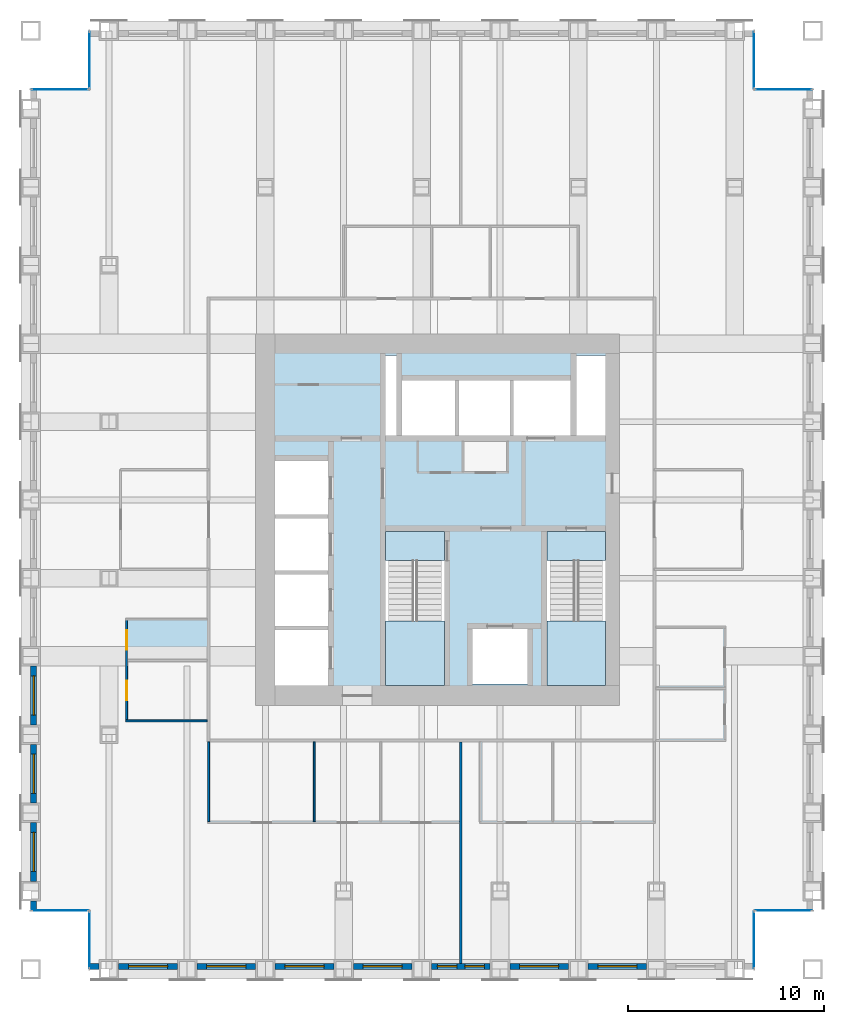
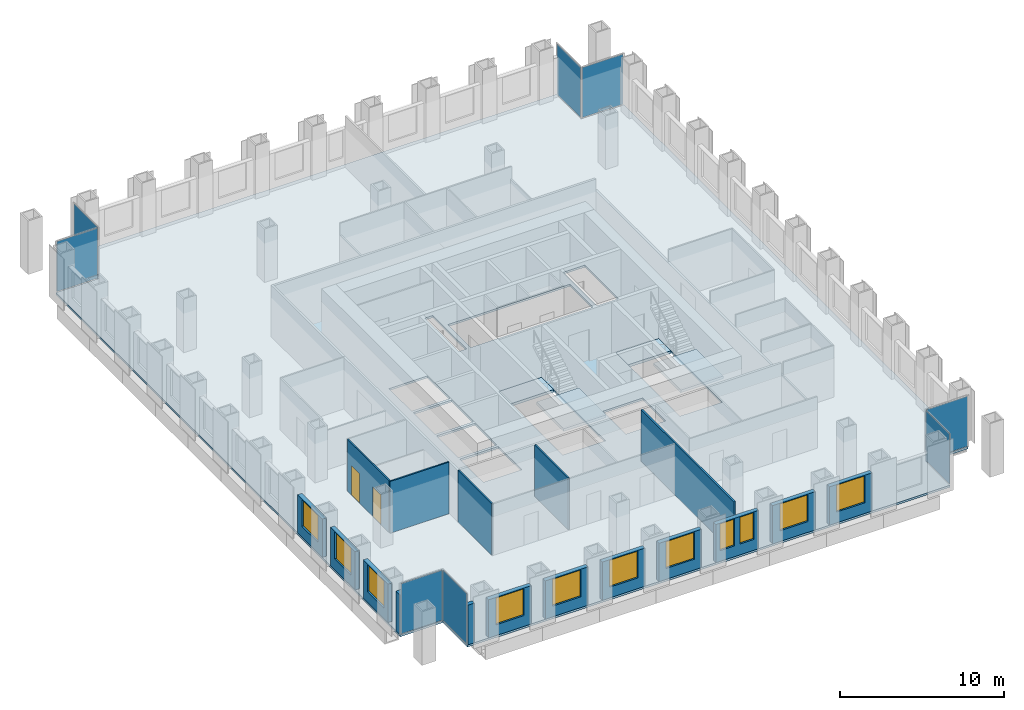
# One storey, part 7 of 12: 17 walls, 11 windows, 8 plates, 5 slabs, 2 doors, 13 openings, 10 elements without a shape of their own.
"""IFC4 building model written with IfcOpenShell, lengths in metres."""

from ifc_helpers import new_model, si_unit, direction, frame, frame_2d, origin, origin_2d, place, context, subcontext, project, spatial, polyline, rectangle, outline, extrude, material, layer, layer_set, type_object, element, fill, aggregate, save


model = new_model("IFC4")

# Units and contexts
model_context = context("Model", 3, precision=1e-05, world=origin(), true_north=direction((0.0, 1.0)))
body_context = subcontext(model_context, "Body", "Model", "MODEL_VIEW")
ifc_project = project(units=[si_unit("LENGTHUNIT", "METRE"), si_unit("AREAUNIT", "SQUARE_METRE"), si_unit("VOLUMEUNIT", "CUBIC_METRE"), si_unit("PLANEANGLEUNIT", "RADIAN"), si_unit("MASSUNIT", "GRAM", prefix="KILO")], contexts=[model_context])

# Site, building, storey
site_placement = place(None, origin())
site = spatial("IfcSite", under=ifc_project, at=site_placement, CompositionType="ELEMENT")
building_placement = place(site_placement, origin())
building = spatial("IfcBuilding", under=site, at=building_placement, Name="Rimbunsela Tower", CompositionType="ELEMENT")
storey_placement = place(building_placement, frame((0.0, 0.0, 151.800048828125)))
storey = spatial("IfcBuildingStorey", under=building, at=storey_placement, Name="L36", CompositionType="ELEMENT", Elevation=151.800048828125)

# Slab
ifc_material_1 = material(Name="Concrete fc' 35 MPa", Category="concrete")
ifc_layer_1 = layer(ifc_material_1, 0.14990234375)
ifc_layer_set_1 = layer_set([ifc_layer_1], Name="Floor slab 150")
slab_type_1 = type_object("IfcSlabType", Name="Floor slab 150", PredefinedType="FLOOR", material=ifc_layer_set_1)
slab_1_placement = place(storey_placement, frame((0.0, 0.0, -0.150146484375)))
element("IfcSlab", 1, at=slab_1_placement, inside=storey, type_object=slab_type_1, Name="Floor slab L36", PredefinedType="FLOOR", context=body_context, shape_type="SweptSolid", body=[
    extrude(outline(polyline([(9.0, 4.0), (43.0, 4.0), (43.0, 7.0), (46.0, 7.0), (46.0, 49.0), (43.0, 49.0), (43.0, 52.0), (9.0, 52.0), (9.0, 49.0), (6.0, 49.0), (6.0, 7.0), (9.0, 7.0), (9.0, 4.0)]), holes=[polyline([(21.199951171875, 21.35009765625), (18.5, 21.35009765625), (18.5, 18.5), (21.199951171875, 18.5), (21.199951171875, 21.35009765625)]), polyline([(21.199951171875, 21.550048828125), (21.199951171875, 24.199951171875), (18.5, 24.199951171875), (18.5, 21.550048828125), (21.199951171875, 21.550048828125)]), polyline([(21.199951171875, 27.050048828125), (18.5, 27.050048828125), (18.5, 24.39990234375), (21.199951171875, 24.39990234375), (21.199951171875, 27.050048828125)]), polyline([(21.199951171875, 27.25), (21.199951171875, 30.0), (18.5, 30.0), (18.5, 27.25), (21.199951171875, 27.25)]), polyline([(27.14990234375, 18.60009765625), (27.14990234375, 26.39990234375), (24.14990234375, 26.39990234375), (24.14990234375, 18.60009765625), (27.14990234375, 18.60009765625)]), polyline([(24.699951171875, 31.300048828125), (24.699951171875, 35.39990234375), (24.14990234375, 35.39990234375), (24.14990234375, 31.300048828125), (24.699951171875, 31.300048828125)]), polyline([(25.0, 34.10009765625), (25.0, 31.300048828125), (33.60009765625, 31.300048828125), (33.60009765625, 34.10009765625), (25.0, 34.10009765625)]), polyline([(31.39990234375, 21.39990234375), (28.60009765625, 21.39990234375), (28.60009765625, 18.60009765625), (31.39990234375, 18.60009765625), (31.39990234375, 21.39990234375)]), polyline([(35.39990234375, 18.60009765625), (35.39990234375, 26.39990234375), (32.39990234375, 26.39990234375), (32.39990234375, 18.60009765625), (35.39990234375, 18.60009765625)]), polyline([(35.39990234375, 31.300048828125), (35.39990234375, 35.39990234375), (33.89990234375, 35.39990234375), (33.89990234375, 31.300048828125), (35.39990234375, 31.300048828125)])]), origin(), (0.0, 0.0, 1.0), 0.150146484375),
])

# Curtain wall, plate
ifc_material_2 = material(Name="Aluminium curtain wall", Category="aluminium")
curtain_wall_type = type_object("IfcCurtainWallType", Name="Corner glazing", PredefinedType="USERDEFINED", material=ifc_material_2)
curtain_wall_1_placement = place(storey_placement, origin())
curtain_wall_1 = element("IfcCurtainWall", 2, at=curtain_wall_1_placement, inside=storey, type_object=curtain_wall_type, Name="Corner glazing L36", ObjectType="CORNER GLAZING", PredefinedType="USERDEFINED")
ifc_material_3 = material(Name="Clear double glazing", Category="glass")
ifc_layer_2 = layer(ifc_material_3, 0.028076171875)
ifc_layer_set_2 = layer_set([ifc_layer_2], Name="Glazed panel clear")
plate_type = type_object("IfcPlateType", Name="Glazed panel clear", PredefinedType="CURTAIN_PANEL", material=ifc_layer_set_2)
plate_1_placement = place(storey_placement, frame((43.0, 5.5, 0.06005859375), z_axis=(0.0, 0.0, 1.0), x_axis=(0.0, 1.0, 0.0)))
plate_1 = element("IfcPlate", 3, at=plate_1_placement, type_object=plate_type, Name="CW5 panel 1.1", PredefinedType="CURTAIN_PANEL", context=body_context, shape_type="SweptSolid", body=[
    extrude(rectangle(XDim=2.8798828125, YDim=0.028076171875, at=origin_2d()), origin(), (0.0, 0.0, 1.0), 3.72998046875),
])
aggregate(curtain_wall_1, [plate_1])

curtain_wall_2_placement = place(storey_placement, origin())
curtain_wall_2 = element("IfcCurtainWall", 4, at=curtain_wall_2_placement, inside=storey, type_object=curtain_wall_type, Name="Corner glazing L36", ObjectType="CORNER GLAZING", PredefinedType="USERDEFINED")
plate_2_placement = place(storey_placement, frame((44.5, 7.0, 0.06005859375), z_axis=(0.0, 0.0, 1.0), x_axis=(1.0, 0.0, 0.0)))
plate_2 = element("IfcPlate", 5, at=plate_2_placement, type_object=plate_type, Name="CW5 panel 1.1", PredefinedType="CURTAIN_PANEL", context=body_context, shape_type="SweptSolid", body=[
    extrude(rectangle(XDim=2.8798828125, YDim=0.028076171875, at=origin_2d()), origin(), (0.0, 0.0, 1.0), 3.72998046875),
])
aggregate(curtain_wall_2, [plate_2])

curtain_wall_3_placement = place(storey_placement, origin())
curtain_wall_3 = element("IfcCurtainWall", 6, at=curtain_wall_3_placement, inside=storey, type_object=curtain_wall_type, Name="Corner glazing L36", ObjectType="CORNER GLAZING", PredefinedType="USERDEFINED")
plate_3_placement = place(storey_placement, frame((44.5, 49.0, 0.06005859375), z_axis=(0.0, 0.0, 1.0), x_axis=(-1.0, 0.0, 0.0)))
plate_3 = element("IfcPlate", 7, at=plate_3_placement, type_object=plate_type, Name="CW5 panel 1.1", PredefinedType="CURTAIN_PANEL", context=body_context, shape_type="SweptSolid", body=[
    extrude(rectangle(XDim=2.8798828125, YDim=0.028076171875, at=origin_2d()), origin(), (0.0, 0.0, 1.0), 3.72998046875),
])
aggregate(curtain_wall_3, [plate_3])

curtain_wall_4_placement = place(storey_placement, origin())
curtain_wall_4 = element("IfcCurtainWall", 8, at=curtain_wall_4_placement, inside=storey, type_object=curtain_wall_type, Name="Corner glazing L36", ObjectType="CORNER GLAZING", PredefinedType="USERDEFINED")
plate_4_placement = place(storey_placement, frame((43.0, 50.5, 0.06005859375), z_axis=(0.0, 0.0, 1.0), x_axis=(0.0, 1.0, 0.0)))
plate_4 = element("IfcPlate", 9, at=plate_4_placement, type_object=plate_type, Name="CW5 panel 1.1", PredefinedType="CURTAIN_PANEL", context=body_context, shape_type="SweptSolid", body=[
    extrude(rectangle(XDim=2.8798828125, YDim=0.028076171875, at=origin_2d()), origin(), (0.0, 0.0, 1.0), 3.72998046875),
])
aggregate(curtain_wall_4, [plate_4])

curtain_wall_5_placement = place(storey_placement, origin())
curtain_wall_5 = element("IfcCurtainWall", 10, at=curtain_wall_5_placement, inside=storey, type_object=curtain_wall_type, Name="Corner glazing L36", ObjectType="CORNER GLAZING", PredefinedType="USERDEFINED")
plate_5_placement = place(storey_placement, frame((9.0, 50.5, 0.06005859375), z_axis=(0.0, 0.0, 1.0), x_axis=(0.0, -1.0, 0.0)))
plate_5 = element("IfcPlate", 11, at=plate_5_placement, type_object=plate_type, Name="CW5 panel 1.1", PredefinedType="CURTAIN_PANEL", context=body_context, shape_type="SweptSolid", body=[
    extrude(rectangle(XDim=2.8798828125, YDim=0.028076171875, at=origin_2d()), origin(), (0.0, 0.0, 1.0), 3.72998046875),
])
aggregate(curtain_wall_5, [plate_5])

curtain_wall_6_placement = place(storey_placement, origin())
curtain_wall_6 = element("IfcCurtainWall", 12, at=curtain_wall_6_placement, inside=storey, type_object=curtain_wall_type, Name="Corner glazing L36", ObjectType="CORNER GLAZING", PredefinedType="USERDEFINED")
plate_6_placement = place(storey_placement, frame((7.5, 49.0, 0.06005859375), z_axis=(0.0, 0.0, 1.0), x_axis=(-1.0, 0.0, 0.0)))
plate_6 = element("IfcPlate", 13, at=plate_6_placement, type_object=plate_type, Name="CW5 panel 1.1", PredefinedType="CURTAIN_PANEL", context=body_context, shape_type="SweptSolid", body=[
    extrude(rectangle(XDim=2.8798828125, YDim=0.028076171875, at=origin_2d()), origin(), (0.0, 0.0, 1.0), 3.72998046875),
])
aggregate(curtain_wall_6, [plate_6])

curtain_wall_7_placement = place(storey_placement, origin())
curtain_wall_7 = element("IfcCurtainWall", 14, at=curtain_wall_7_placement, inside=storey, type_object=curtain_wall_type, Name="Corner glazing L36", ObjectType="CORNER GLAZING", PredefinedType="USERDEFINED")
plate_7_placement = place(storey_placement, frame((7.5, 7.0, 0.06005859375), z_axis=(0.0, 0.0, 1.0), x_axis=(1.0, 0.0, 0.0)))
plate_7 = element("IfcPlate", 15, at=plate_7_placement, type_object=plate_type, Name="CW5 panel 1.1", PredefinedType="CURTAIN_PANEL", context=body_context, shape_type="SweptSolid", body=[
    extrude(rectangle(XDim=2.8798828125, YDim=0.028076171875, at=origin_2d()), origin(), (0.0, 0.0, 1.0), 3.72998046875),
])
aggregate(curtain_wall_7, [plate_7])

curtain_wall_8_placement = place(storey_placement, origin())
curtain_wall_8 = element("IfcCurtainWall", 16, at=curtain_wall_8_placement, inside=storey, type_object=curtain_wall_type, Name="Corner glazing L36", ObjectType="CORNER GLAZING", PredefinedType="USERDEFINED")
plate_8_placement = place(storey_placement, frame((9.0, 5.5, 0.06005859375), z_axis=(0.0, 0.0, 1.0), x_axis=(0.0, -1.0, 0.0)))
plate_8 = element("IfcPlate", 17, at=plate_8_placement, type_object=plate_type, Name="CW5 panel 1.1", PredefinedType="CURTAIN_PANEL", context=body_context, shape_type="SweptSolid", body=[
    extrude(rectangle(XDim=2.8798828125, YDim=0.028076171875, at=origin_2d()), origin(), (0.0, 0.0, 1.0), 3.72998046875),
])
aggregate(curtain_wall_8, [plate_8])

# Stair, slabs
ifc_material_4 = material(Name="Concrete fc' 35 MPa", Category="concrete")
stair_type = type_object("IfcStairType", Name="Exit stair 24 risers", PredefinedType="HALF_TURN_STAIR", material=ifc_material_4)
stair_1_placement = place(storey_placement, origin())
stair_1 = element("IfcStair", 18, at=stair_1_placement, inside=storey, type_object=stair_type, Name="Exit stair A L36", PredefinedType="HALF_TURN_STAIR")
ifc_material_5 = material(Name="Concrete fc' 35 MPa", Category="concrete")
ifc_layer_3 = layer(ifc_material_5, 0.199951171875)
ifc_layer_set_3 = layer_set([ifc_layer_3], Name="Stair landing 200")
slab_type_2 = type_object("IfcSlabType", Name="Stair landing 200", PredefinedType="LANDING", material=ifc_layer_set_3)
slab_2_placement = place(storey_placement, frame((0.0, 0.0, -0.199951171875)))
slab_2 = element("IfcSlab", 19, at=slab_2_placement, type_object=slab_type_2, Name="ST-A landing 1", PredefinedType="LANDING", context=body_context, shape_type="SweptSolid", body=[
    extrude(outline(polyline([(24.14990234375, 24.89990234375), (27.14990234375, 24.89990234375), (27.14990234375, 26.39990234375), (24.14990234375, 26.39990234375), (24.14990234375, 24.89990234375)])), origin(), (0.0, 0.0, 1.0), 0.199951171875),
])
slab_3_placement = place(storey_placement, frame((0.0, 0.0, 1.800048828125)))
slab_3 = element("IfcSlab", 20, at=slab_3_placement, type_object=slab_type_2, Name="ST-A landing 2", PredefinedType="LANDING", context=body_context, shape_type="SweptSolid", body=[
    extrude(outline(polyline([(24.14990234375, 18.5), (27.14990234375, 18.5), (27.14990234375, 21.820068359375), (24.14990234375, 21.820068359375), (24.14990234375, 18.5)])), origin(), (0.0, 0.0, 1.0), 0.199951171875),
])
aggregate(stair_1, [slab_2, slab_3])

stair_2_placement = place(storey_placement, origin())
stair_2 = element("IfcStair", 21, at=stair_2_placement, inside=storey, type_object=stair_type, Name="Exit stair B L36", PredefinedType="HALF_TURN_STAIR")
slab_4_placement = place(storey_placement, frame((0.0, 0.0, -0.199951171875)))
slab_4 = element("IfcSlab", 22, at=slab_4_placement, type_object=slab_type_2, Name="ST-B landing 1", PredefinedType="LANDING", context=body_context, shape_type="SweptSolid", body=[
    extrude(outline(polyline([(32.39990234375, 24.89990234375), (35.39990234375, 24.89990234375), (35.39990234375, 26.39990234375), (32.39990234375, 26.39990234375), (32.39990234375, 24.89990234375)])), origin(), (0.0, 0.0, 1.0), 0.199951171875),
])
slab_5_placement = place(storey_placement, frame((0.0, 0.0, 1.800048828125)))
slab_5 = element("IfcSlab", 23, at=slab_5_placement, type_object=slab_type_2, Name="ST-B landing 2", PredefinedType="LANDING", context=body_context, shape_type="SweptSolid", body=[
    extrude(outline(polyline([(32.39990234375, 18.5), (35.39990234375, 18.5), (35.39990234375, 21.820068359375), (32.39990234375, 21.820068359375), (32.39990234375, 18.5)])), origin(), (0.0, 0.0, 1.0), 0.199951171875),
])
aggregate(stair_2, [slab_4, slab_5])

# Wall
ifc_material_6 = material(Name="Gypsum board on steel studs", Category="steel")
ifc_layer_4 = layer(ifc_material_6, 0.10009765625)
ifc_layer_set_4 = layer_set([ifc_layer_4], Name="Office partition 100")
wall_type_1 = type_object("IfcWallType", Name="Office partition 100", PredefinedType="PARTITIONING", material=ifc_layer_set_4)
wall_1_placement = place(storey_placement, frame((10.85009765625, 16.699951171875, 0.0), z_axis=(0.0, 0.0, 1.0), x_axis=(1.0, 0.0, 0.0)))
element("IfcWall", 24, at=wall_1_placement, inside=storey, type_object=wall_type_1, Name="Office partition", PredefinedType="PARTITIONING", context=body_context, shape_type="SweptSolid", body=[
    extrude(rectangle(XDim=4.1748046875, YDim=0.10009765625, at=frame_2d((2.08740234375, 0.0))), origin(), (0.0, 0.0, 1.0), 3.849853515625),
])

# Wall, openings, doors
wall_2_placement = place(storey_placement, frame((10.89990234375, 16.75, 0.0), z_axis=(0.0, 0.0, 1.0), x_axis=(0.0, 1.0, 0.0)))
wall_2 = element("IfcWall", 25, at=wall_2_placement, inside=storey, type_object=wall_type_1, Name="Office partition", PredefinedType="PARTITIONING", context=body_context, shape_type="SweptSolid", body=[
    extrude(rectangle(XDim=5.10009765625, YDim=0.10009765625, at=frame_2d((2.550048828125, 0.0))), origin(), (0.0, 0.0, 1.0), 3.849853515625),
])
opening_1_placement = place(wall_2_placement, frame((1.0, 0.0, 0.0)))
opening_1 = element("IfcOpeningElement", 26, at=opening_1_placement, cuts=wall_2, Name="Opening D16", PredefinedType="OPENING", context=body_context, shape_type="SweptSolid", body=[
    extrude(rectangle(XDim=1.0, YDim=2.199951171875, at=frame_2d((0.5, 1.10009765625))), frame((0.0, 0.06005859375, 0.0), z_axis=(0.0, -1.0, 0.0), x_axis=(1.0, 0.0, 0.0)), (0.0, 0.0, 1.0), 0.1201171875),
])
opening_2_placement = place(wall_2_placement, frame((3.60009765625, 0.0, 0.0)))
opening_2 = element("IfcOpeningElement", 27, at=opening_2_placement, cuts=wall_2, Name="Opening D16", PredefinedType="OPENING", context=body_context, shape_type="SweptSolid", body=[
    extrude(rectangle(XDim=1.0, YDim=2.199951171875, at=frame_2d((0.5, 1.10009765625))), frame((0.0, 0.06005859375, 0.0), z_axis=(0.0, -1.0, 0.0), x_axis=(1.0, 0.0, 0.0)), (0.0, 0.0, 1.0), 0.1201171875),
])
ifc_material_7 = material(Name="Timber door", Category="wood")
door_type = type_object("IfcDoorType", Name="Office door 1000", OperationType="SINGLE_SWING_LEFT", PredefinedType="DOOR", material=ifc_material_7)
door_1_placement = place(opening_1_placement, origin())
door_1 = element("IfcDoor", 28, at=door_1_placement, inside=storey, type_object=door_type, Name="Office door", OperationType="SINGLE_SWING_LEFT", OverallHeight=2.199951171875, OverallWidth=1.0, PredefinedType="DOOR", context=body_context, shape_type="SweptSolid", body=[
    extrude(rectangle(XDim=1.0, YDim=2.199951171875, at=frame_2d((0.5, 1.10009765625))), frame((0.0, 0.02490234375, 0.0), z_axis=(0.0, -1.0, 0.0), x_axis=(1.0, 0.0, 0.0)), (0.0, 0.0, 1.0), 0.050048828125),
])
fill(opening_1, door_1)
door_2_placement = place(opening_2_placement, origin())
door_2 = element("IfcDoor", 29, at=door_2_placement, inside=storey, type_object=door_type, Name="Office door", OperationType="SINGLE_SWING_LEFT", OverallHeight=2.199951171875, OverallWidth=1.0, PredefinedType="DOOR", context=body_context, shape_type="SweptSolid", body=[
    extrude(rectangle(XDim=1.0, YDim=2.199951171875, at=frame_2d((0.5, 1.10009765625))), frame((0.0, 0.02490234375, 0.0), z_axis=(0.0, -1.0, 0.0), x_axis=(1.0, 0.0, 0.0)), (0.0, 0.0, 1.0), 0.050048828125),
])
fill(opening_2, door_2)

# Walls
for number, where, z_axis, x_axis, name in (
    (30, (15.10009765625, 11.550048828125, 0.0), (0.0, 0.0, 1.0), (0.0, 1.0, 0.0), "Office partition"),
    (31, (20.5, 11.550048828125, 0.0), (0.0, 0.0, 1.0), (0.0, 1.0, 0.0), "Office partition"),
):
    element("IfcWall", number, at=place(storey_placement, frame(where, z_axis=z_axis, x_axis=x_axis)), inside=storey, type_object=wall_type_1, Name=name, PredefinedType="PARTITIONING", context=body_context, shape_type="SweptSolid", body=[
        extrude(rectangle(XDim=4.074951171875, YDim=0.10009765625, at=frame_2d((2.03759765625, 0.0))), origin(), (0.0, 0.0, 1.0), 3.849853515625),
    ])
ifc_material_8 = material(Name="Precast concrete fc' 35 MPa", Category="concrete")
ifc_layer_5 = layer(ifc_material_8, 0.300048828125)
ifc_layer_set_5 = layer_set([ifc_layer_5], Name="Precast concrete fc' 35 MPa")
wall_type_2 = type_object("IfcWallType", Name="Precast facade panel 300", PredefinedType="ELEMENTEDWALL", material=ifc_layer_set_5)
wall_3_placement = place(storey_placement, frame((9.030029296875, 4.14990234375, 0.0), z_axis=(0.0, 0.0, 1.0), x_axis=(1.0, 0.0, 0.0)))
element("IfcWall", 32, at=wall_3_placement, inside=storey, type_object=wall_type_2, Name="Facade panel S L36", PredefinedType="ELEMENTEDWALL", context=body_context, shape_type="SweptSolid", body=[
    extrude(rectangle(XDim=0.469970703125, YDim=0.300048828125, at=frame_2d((0.23486328125, 0.0))), origin(), (0.0, 0.0, 1.0), 2.949951171875),
])

# Wall, opening, window
wall_4_placement = place(storey_placement, frame((10.5, 4.14990234375, 0.0), z_axis=(0.0, 0.0, 1.0), x_axis=(1.0, 0.0, 0.0)))
wall_4 = element("IfcWall", 33, at=wall_4_placement, inside=storey, type_object=wall_type_2, Name="Facade panel S L36", PredefinedType="ELEMENTEDWALL", context=body_context, shape_type="SweptSolid", body=[
    extrude(rectangle(XDim=3.0, YDim=0.300048828125, at=frame_2d((1.5, 0.0))), origin(), (0.0, 0.0, 1.0), 2.849853515625),
])
opening_3_placement = place(wall_4_placement, frame((0.5, 0.0, 0.800048828125)))
opening_3 = element("IfcOpeningElement", 34, at=opening_3_placement, cuts=wall_4, Name="Opening W1", PredefinedType="OPENING", context=body_context, shape_type="SweptSolid", body=[
    extrude(rectangle(XDim=2.0, YDim=2.0, at=frame_2d((1.0, 1.0))), frame((0.0, 0.159912109375, 0.0), z_axis=(0.0, -1.0, 0.0), x_axis=(1.0, 0.0, 0.0)), (0.0, 0.0, 1.0), 0.320068359375),
])
ifc_material_9 = material(Name="Clear glass in aluminium frame", Category="aluminium")
window_type_1 = type_object("IfcWindowType", Name="Window W1 2000x2000", PartitioningType="DOUBLE_PANEL_VERTICAL", PredefinedType="WINDOW", material=ifc_material_9)
window_1_placement = place(opening_3_placement, origin())
window_1 = element("IfcWindow", 35, at=window_1_placement, inside=storey, type_object=window_type_1, Name="Window L36", OverallHeight=2.0, OverallWidth=2.0, PartitioningType="SINGLE_PANEL", PredefinedType="WINDOW", context=body_context, shape_type="SweptSolid", body=[
    extrude(rectangle(XDim=2.0, YDim=2.0, at=frame_2d((1.0, 1.0))), frame((0.0, 0.030029296875, 0.0), z_axis=(0.0, -1.0, 0.0), x_axis=(1.0, 0.0, 0.0)), (0.0, 0.0, 1.0), 0.06005859375),
])
fill(opening_3, window_1)

wall_5_placement = place(storey_placement, frame((14.5, 4.14990234375, 0.0), z_axis=(0.0, 0.0, 1.0), x_axis=(1.0, 0.0, 0.0)))
wall_5 = element("IfcWall", 36, at=wall_5_placement, inside=storey, type_object=wall_type_2, Name="Facade panel S L36", PredefinedType="ELEMENTEDWALL", context=body_context, shape_type="SweptSolid", body=[
    extrude(rectangle(XDim=3.0, YDim=0.300048828125, at=frame_2d((1.5, 0.0))), origin(), (0.0, 0.0, 1.0), 2.849853515625),
])
opening_4_placement = place(wall_5_placement, frame((0.5, 0.0, 0.800048828125)))
opening_4 = element("IfcOpeningElement", 37, at=opening_4_placement, cuts=wall_5, Name="Opening W1", PredefinedType="OPENING", context=body_context, shape_type="SweptSolid", body=[
    extrude(rectangle(XDim=2.0, YDim=2.0, at=frame_2d((1.0, 1.0))), frame((0.0, 0.159912109375, 0.0), z_axis=(0.0, -1.0, 0.0), x_axis=(1.0, 0.0, 0.0)), (0.0, 0.0, 1.0), 0.320068359375),
])
window_2_placement = place(opening_4_placement, origin())
window_2 = element("IfcWindow", 38, at=window_2_placement, inside=storey, type_object=window_type_1, Name="Window L36", OverallHeight=2.0, OverallWidth=2.0, PartitioningType="SINGLE_PANEL", PredefinedType="WINDOW", context=body_context, shape_type="SweptSolid", body=[
    extrude(rectangle(XDim=2.0, YDim=2.0, at=frame_2d((1.0, 1.0))), frame((0.0, 0.030029296875, 0.0), z_axis=(0.0, -1.0, 0.0), x_axis=(1.0, 0.0, 0.0)), (0.0, 0.0, 1.0), 0.06005859375),
])
fill(opening_4, window_2)

wall_6_placement = place(storey_placement, frame((18.5, 4.14990234375, 0.0), z_axis=(0.0, 0.0, 1.0), x_axis=(1.0, 0.0, 0.0)))
wall_6 = element("IfcWall", 39, at=wall_6_placement, inside=storey, type_object=wall_type_2, Name="Facade panel S L36", PredefinedType="ELEMENTEDWALL", context=body_context, shape_type="SweptSolid", body=[
    extrude(rectangle(XDim=3.0, YDim=0.300048828125, at=frame_2d((1.5, 0.0))), origin(), (0.0, 0.0, 1.0), 2.849853515625),
])
opening_5_placement = place(wall_6_placement, frame((0.5, 0.0, 0.800048828125)))
opening_5 = element("IfcOpeningElement", 40, at=opening_5_placement, cuts=wall_6, Name="Opening W1", PredefinedType="OPENING", context=body_context, shape_type="SweptSolid", body=[
    extrude(rectangle(XDim=2.0, YDim=2.0, at=frame_2d((1.0, 1.0))), frame((0.0, 0.159912109375, 0.0), z_axis=(0.0, -1.0, 0.0), x_axis=(1.0, 0.0, 0.0)), (0.0, 0.0, 1.0), 0.320068359375),
])
window_3_placement = place(opening_5_placement, origin())
window_3 = element("IfcWindow", 41, at=window_3_placement, inside=storey, type_object=window_type_1, Name="Window L36", OverallHeight=2.0, OverallWidth=2.0, PartitioningType="SINGLE_PANEL", PredefinedType="WINDOW", context=body_context, shape_type="SweptSolid", body=[
    extrude(rectangle(XDim=2.0, YDim=2.0, at=frame_2d((1.0, 1.0))), frame((0.0, 0.030029296875, 0.0), z_axis=(0.0, -1.0, 0.0), x_axis=(1.0, 0.0, 0.0)), (0.0, 0.0, 1.0), 0.06005859375),
])
fill(opening_5, window_3)

wall_7_placement = place(storey_placement, frame((22.5, 4.14990234375, 0.0), z_axis=(0.0, 0.0, 1.0), x_axis=(1.0, 0.0, 0.0)))
wall_7 = element("IfcWall", 42, at=wall_7_placement, inside=storey, type_object=wall_type_2, Name="Facade panel S L36", PredefinedType="ELEMENTEDWALL", context=body_context, shape_type="SweptSolid", body=[
    extrude(rectangle(XDim=3.0, YDim=0.300048828125, at=frame_2d((1.5, 0.0))), origin(), (0.0, 0.0, 1.0), 2.849853515625),
])
opening_6_placement = place(wall_7_placement, frame((0.5, 0.0, 0.800048828125)))
opening_6 = element("IfcOpeningElement", 43, at=opening_6_placement, cuts=wall_7, Name="Opening W1", PredefinedType="OPENING", context=body_context, shape_type="SweptSolid", body=[
    extrude(rectangle(XDim=2.0, YDim=2.0, at=frame_2d((1.0, 1.0))), frame((0.0, 0.159912109375, 0.0), z_axis=(0.0, -1.0, 0.0), x_axis=(1.0, 0.0, 0.0)), (0.0, 0.0, 1.0), 0.320068359375),
])
window_4_placement = place(opening_6_placement, origin())
window_4 = element("IfcWindow", 44, at=window_4_placement, inside=storey, type_object=window_type_1, Name="Window L36", OverallHeight=2.0, OverallWidth=2.0, PartitioningType="SINGLE_PANEL", PredefinedType="WINDOW", context=body_context, shape_type="SweptSolid", body=[
    extrude(rectangle(XDim=2.0, YDim=2.0, at=frame_2d((1.0, 1.0))), frame((0.0, 0.030029296875, 0.0), z_axis=(0.0, -1.0, 0.0), x_axis=(1.0, 0.0, 0.0)), (0.0, 0.0, 1.0), 0.06005859375),
])
fill(opening_6, window_4)

# Wall, openings, windows
wall_8_placement = place(storey_placement, frame((26.5, 4.14990234375, 0.0), z_axis=(0.0, 0.0, 1.0), x_axis=(1.0, 0.0, 0.0)))
wall_8 = element("IfcWall", 45, at=wall_8_placement, inside=storey, type_object=wall_type_2, Name="Facade panel S L36", PredefinedType="ELEMENTEDWALL", context=body_context, shape_type="SweptSolid", body=[
    extrude(rectangle(XDim=3.0, YDim=0.300048828125, at=frame_2d((1.5, 0.0))), origin(), (0.0, 0.0, 1.0), 2.849853515625),
])
opening_7_placement = place(wall_8_placement, frame((0.300048828125, 0.0, 0.800048828125)))
opening_7 = element("IfcOpeningElement", 46, at=opening_7_placement, cuts=wall_8, Name="Opening W5", PredefinedType="OPENING", context=body_context, shape_type="SweptSolid", body=[
    extrude(rectangle(XDim=1.0, YDim=2.0, at=frame_2d((0.5, 1.0))), frame((0.0, 0.159912109375, 0.0), z_axis=(0.0, -1.0, 0.0), x_axis=(1.0, 0.0, 0.0)), (0.0, 0.0, 1.0), 0.320068359375),
])
opening_8_placement = place(wall_8_placement, frame((1.699951171875, 0.0, 0.800048828125)))
opening_8 = element("IfcOpeningElement", 47, at=opening_8_placement, cuts=wall_8, Name="Opening W5", PredefinedType="OPENING", context=body_context, shape_type="SweptSolid", body=[
    extrude(rectangle(XDim=1.0, YDim=2.0, at=frame_2d((0.5, 1.0))), frame((0.0, 0.159912109375, 0.0), z_axis=(0.0, -1.0, 0.0), x_axis=(1.0, 0.0, 0.0)), (0.0, 0.0, 1.0), 0.320068359375),
])
ifc_material_10 = material(Name="Clear glass in aluminium frame", Category="aluminium")
window_type_2 = type_object("IfcWindowType", Name="Window W5 1000x2000", PartitioningType="SINGLE_PANEL", PredefinedType="WINDOW", material=ifc_material_10)
window_5_placement = place(opening_7_placement, origin())
window_5 = element("IfcWindow", 48, at=window_5_placement, inside=storey, type_object=window_type_2, Name="Window L36", OverallHeight=2.0, OverallWidth=1.0, PartitioningType="SINGLE_PANEL", PredefinedType="WINDOW", context=body_context, shape_type="SweptSolid", body=[
    extrude(rectangle(XDim=1.0, YDim=2.0, at=frame_2d((0.5, 1.0))), frame((0.0, 0.030029296875, 0.0), z_axis=(0.0, -1.0, 0.0), x_axis=(1.0, 0.0, 0.0)), (0.0, 0.0, 1.0), 0.06005859375),
])
fill(opening_7, window_5)
window_6_placement = place(opening_8_placement, origin())
window_6 = element("IfcWindow", 49, at=window_6_placement, inside=storey, type_object=window_type_2, Name="Window L36", OverallHeight=2.0, OverallWidth=1.0, PartitioningType="SINGLE_PANEL", PredefinedType="WINDOW", context=body_context, shape_type="SweptSolid", body=[
    extrude(rectangle(XDim=1.0, YDim=2.0, at=frame_2d((0.5, 1.0))), frame((0.0, 0.030029296875, 0.0), z_axis=(0.0, -1.0, 0.0), x_axis=(1.0, 0.0, 0.0)), (0.0, 0.0, 1.0), 0.06005859375),
])
fill(opening_8, window_6)

# Wall, opening, window
wall_9_placement = place(storey_placement, frame((30.5, 4.14990234375, 0.0), z_axis=(0.0, 0.0, 1.0), x_axis=(1.0, 0.0, 0.0)))
wall_9 = element("IfcWall", 50, at=wall_9_placement, inside=storey, type_object=wall_type_2, Name="Facade panel S L36", PredefinedType="ELEMENTEDWALL", context=body_context, shape_type="SweptSolid", body=[
    extrude(rectangle(XDim=3.0, YDim=0.300048828125, at=frame_2d((1.5, 0.0))), origin(), (0.0, 0.0, 1.0), 2.849853515625),
])
opening_9_placement = place(wall_9_placement, frame((0.5, 0.0, 0.800048828125)))
opening_9 = element("IfcOpeningElement", 51, at=opening_9_placement, cuts=wall_9, Name="Opening W1", PredefinedType="OPENING", context=body_context, shape_type="SweptSolid", body=[
    extrude(rectangle(XDim=2.0, YDim=2.0, at=frame_2d((1.0, 1.0))), frame((0.0, 0.159912109375, 0.0), z_axis=(0.0, -1.0, 0.0), x_axis=(1.0, 0.0, 0.0)), (0.0, 0.0, 1.0), 0.320068359375),
])
window_7_placement = place(opening_9_placement, origin())
window_7 = element("IfcWindow", 52, at=window_7_placement, inside=storey, type_object=window_type_1, Name="Window L36", OverallHeight=2.0, OverallWidth=2.0, PartitioningType="SINGLE_PANEL", PredefinedType="WINDOW", context=body_context, shape_type="SweptSolid", body=[
    extrude(rectangle(XDim=2.0, YDim=2.0, at=frame_2d((1.0, 1.0))), frame((0.0, 0.030029296875, 0.0), z_axis=(0.0, -1.0, 0.0), x_axis=(1.0, 0.0, 0.0)), (0.0, 0.0, 1.0), 0.06005859375),
])
fill(opening_9, window_7)

wall_10_placement = place(storey_placement, frame((34.5, 4.14990234375, 0.0), z_axis=(0.0, 0.0, 1.0), x_axis=(1.0, 0.0, 0.0)))
wall_10 = element("IfcWall", 53, at=wall_10_placement, inside=storey, type_object=wall_type_2, Name="Facade panel S L36", PredefinedType="ELEMENTEDWALL", context=body_context, shape_type="SweptSolid", body=[
    extrude(rectangle(XDim=3.0, YDim=0.300048828125, at=frame_2d((1.5, 0.0))), origin(), (0.0, 0.0, 1.0), 2.849853515625),
])
opening_10_placement = place(wall_10_placement, frame((0.5, 0.0, 0.800048828125)))
opening_10 = element("IfcOpeningElement", 54, at=opening_10_placement, cuts=wall_10, Name="Opening W1", PredefinedType="OPENING", context=body_context, shape_type="SweptSolid", body=[
    extrude(rectangle(XDim=2.0, YDim=2.0, at=frame_2d((1.0, 1.0))), frame((0.0, 0.159912109375, 0.0), z_axis=(0.0, -1.0, 0.0), x_axis=(1.0, 0.0, 0.0)), (0.0, 0.0, 1.0), 0.320068359375),
])
window_8_placement = place(opening_10_placement, origin())
window_8 = element("IfcWindow", 55, at=window_8_placement, inside=storey, type_object=window_type_1, Name="Window L36", OverallHeight=2.0, OverallWidth=2.0, PartitioningType="SINGLE_PANEL", PredefinedType="WINDOW", context=body_context, shape_type="SweptSolid", body=[
    extrude(rectangle(XDim=2.0, YDim=2.0, at=frame_2d((1.0, 1.0))), frame((0.0, 0.030029296875, 0.0), z_axis=(0.0, -1.0, 0.0), x_axis=(1.0, 0.0, 0.0)), (0.0, 0.0, 1.0), 0.06005859375),
])
fill(opening_10, window_8)

# Wall
wall_11_placement = place(storey_placement, frame((6.14990234375, 7.5, 0.0), z_axis=(0.0, 0.0, 1.0), x_axis=(0.0, -1.0, 0.0)))
element("IfcWall", 56, at=wall_11_placement, inside=storey, type_object=wall_type_2, Name="Facade panel W L36", PredefinedType="ELEMENTEDWALL", context=body_context, shape_type="SweptSolid", body=[
    extrude(rectangle(XDim=0.469970703125, YDim=0.300048828125, at=frame_2d((0.23486328125, 0.0))), origin(), (0.0, 0.0, 1.0), 2.949951171875),
])

# Wall, opening, window
wall_12_placement = place(storey_placement, frame((6.14990234375, 11.5, 0.0), z_axis=(0.0, 0.0, 1.0), x_axis=(0.0, -1.0, 0.0)))
wall_12 = element("IfcWall", 57, at=wall_12_placement, inside=storey, type_object=wall_type_2, Name="Facade panel W L36", PredefinedType="ELEMENTEDWALL", context=body_context, shape_type="SweptSolid", body=[
    extrude(rectangle(XDim=3.0, YDim=0.300048828125, at=frame_2d((1.5, 0.0))), origin(), (0.0, 0.0, 1.0), 2.849853515625),
])
opening_11_placement = place(wall_12_placement, frame((0.5, 0.0, 0.800048828125)))
opening_11 = element("IfcOpeningElement", 58, at=opening_11_placement, cuts=wall_12, Name="Opening W1", PredefinedType="OPENING", context=body_context, shape_type="SweptSolid", body=[
    extrude(rectangle(XDim=2.0, YDim=2.0, at=frame_2d((1.0, 1.0))), frame((0.0, 0.159912109375, 0.0), z_axis=(0.0, -1.0, 0.0), x_axis=(1.0, 0.0, 0.0)), (0.0, 0.0, 1.0), 0.320068359375),
])
window_9_placement = place(opening_11_placement, origin())
window_9 = element("IfcWindow", 59, at=window_9_placement, inside=storey, type_object=window_type_1, Name="Window L36", OverallHeight=2.0, OverallWidth=2.0, PartitioningType="SINGLE_PANEL", PredefinedType="WINDOW", context=body_context, shape_type="SweptSolid", body=[
    extrude(rectangle(XDim=2.0, YDim=2.0, at=frame_2d((1.0, 1.0))), frame((0.0, 0.030029296875, 0.0), z_axis=(0.0, -1.0, 0.0), x_axis=(1.0, 0.0, 0.0)), (0.0, 0.0, 1.0), 0.06005859375),
])
fill(opening_11, window_9)

wall_13_placement = place(storey_placement, frame((6.14990234375, 15.5, 0.0), z_axis=(0.0, 0.0, 1.0), x_axis=(0.0, -1.0, 0.0)))
wall_13 = element("IfcWall", 60, at=wall_13_placement, inside=storey, type_object=wall_type_2, Name="Facade panel W L36", PredefinedType="ELEMENTEDWALL", context=body_context, shape_type="SweptSolid", body=[
    extrude(rectangle(XDim=3.0, YDim=0.300048828125, at=frame_2d((1.5, 0.0))), origin(), (0.0, 0.0, 1.0), 2.849853515625),
])
opening_12_placement = place(wall_13_placement, frame((0.5, 0.0, 0.800048828125)))
opening_12 = element("IfcOpeningElement", 61, at=opening_12_placement, cuts=wall_13, Name="Opening W1", PredefinedType="OPENING", context=body_context, shape_type="SweptSolid", body=[
    extrude(rectangle(XDim=2.0, YDim=2.0, at=frame_2d((1.0, 1.0))), frame((0.0, 0.159912109375, 0.0), z_axis=(0.0, -1.0, 0.0), x_axis=(1.0, 0.0, 0.0)), (0.0, 0.0, 1.0), 0.320068359375),
])
window_10_placement = place(opening_12_placement, origin())
window_10 = element("IfcWindow", 62, at=window_10_placement, inside=storey, type_object=window_type_1, Name="Window L36", OverallHeight=2.0, OverallWidth=2.0, PartitioningType="SINGLE_PANEL", PredefinedType="WINDOW", context=body_context, shape_type="SweptSolid", body=[
    extrude(rectangle(XDim=2.0, YDim=2.0, at=frame_2d((1.0, 1.0))), frame((0.0, 0.030029296875, 0.0), z_axis=(0.0, -1.0, 0.0), x_axis=(1.0, 0.0, 0.0)), (0.0, 0.0, 1.0), 0.06005859375),
])
fill(opening_12, window_10)

wall_14_placement = place(storey_placement, frame((6.14990234375, 19.5, 0.0), z_axis=(0.0, 0.0, 1.0), x_axis=(0.0, -1.0, 0.0)))
wall_14 = element("IfcWall", 63, at=wall_14_placement, inside=storey, type_object=wall_type_2, Name="Facade panel W L36", PredefinedType="ELEMENTEDWALL", context=body_context, shape_type="SweptSolid", body=[
    extrude(rectangle(XDim=3.0, YDim=0.300048828125, at=frame_2d((1.5, 0.0))), origin(), (0.0, 0.0, 1.0), 2.849853515625),
])
opening_13_placement = place(wall_14_placement, frame((0.5, 0.0, 0.800048828125)))
opening_13 = element("IfcOpeningElement", 64, at=opening_13_placement, cuts=wall_14, Name="Opening W1", PredefinedType="OPENING", context=body_context, shape_type="SweptSolid", body=[
    extrude(rectangle(XDim=2.0, YDim=2.0, at=frame_2d((1.0, 1.0))), frame((0.0, 0.159912109375, 0.0), z_axis=(0.0, -1.0, 0.0), x_axis=(1.0, 0.0, 0.0)), (0.0, 0.0, 1.0), 0.320068359375),
])
window_11_placement = place(opening_13_placement, origin())
window_11 = element("IfcWindow", 65, at=window_11_placement, inside=storey, type_object=window_type_1, Name="Window L36", OverallHeight=2.0, OverallWidth=2.0, PartitioningType="SINGLE_PANEL", PredefinedType="WINDOW", context=body_context, shape_type="SweptSolid", body=[
    extrude(rectangle(XDim=2.0, YDim=2.0, at=frame_2d((1.0, 1.0))), frame((0.0, 0.030029296875, 0.0), z_axis=(0.0, -1.0, 0.0), x_axis=(1.0, 0.0, 0.0)), (0.0, 0.0, 1.0), 0.06005859375),
])
fill(opening_13, window_11)

# Wall
ifc_material_11 = material(Name="Gypsum board on steel studs", Category="steel")
ifc_layer_6 = layer(ifc_material_11, 0.1201171875)
ifc_layer_set_6 = layer_set([ifc_layer_6], Name="Tenancy partition 120")
wall_type_3 = type_object("IfcWallType", Name="Tenancy partition 120", PredefinedType="PARTITIONING", material=ifc_layer_set_6)
wall_15_placement = place(storey_placement, frame((28.0, 4.300048828125, 0.0), z_axis=(0.0, 0.0, 1.0), x_axis=(0.0, 1.0, 0.0)))
element("IfcWall", 66, at=wall_15_placement, inside=storey, type_object=wall_type_3, Name="Tenancy partition south", PredefinedType="PARTITIONING", context=body_context, shape_type="SweptSolid", body=[
    extrude(rectangle(XDim=11.324951171875, YDim=0.1201171875, at=frame_2d((5.66259765625, 0.0))), origin(), (0.0, 0.0, 1.0), 3.849853515625),
])

save(model, "model.ifc")
